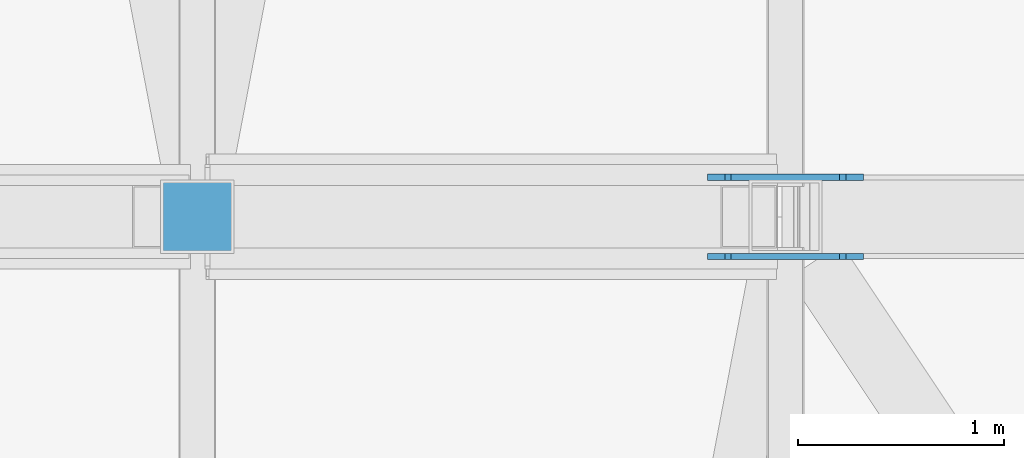
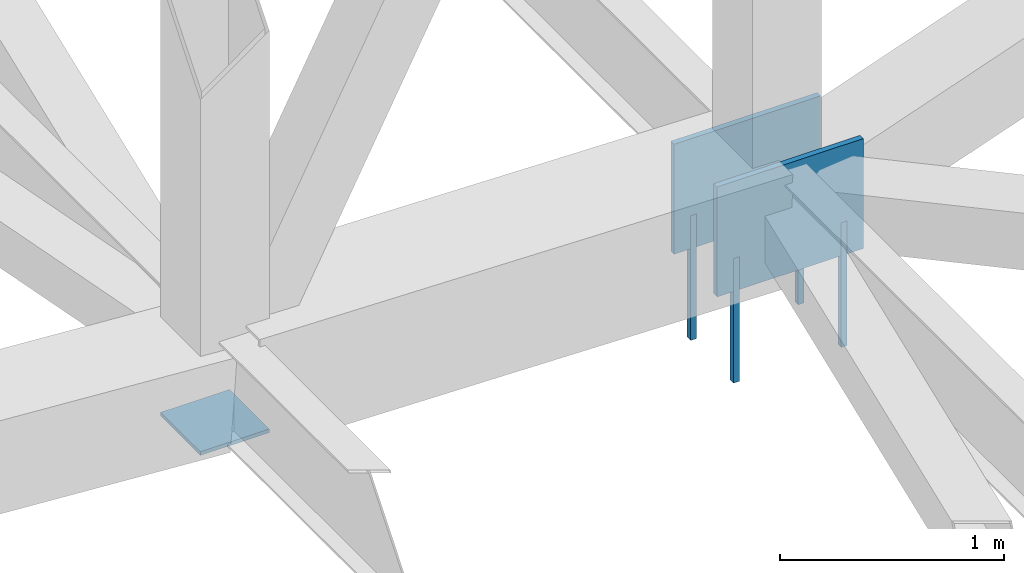
# One storey, part 189 of 278: 4 mechanical fasteners, 3 discrete accessories.
"""IFC4 building model written with IfcOpenShell, lengths in metres."""

from ifc_helpers import new_model, si_unit, direction, frame, origin, origin_2d, place, context, subcontext, project, spatial, rectangle, extrude, material, layer, layer_set, type_object, element, save


model = new_model("IFC4")

# Units and contexts
model_context = context("Model", 3, precision=1e-05, world=origin(), true_north=direction((0.0, 1.0)))
body_context = subcontext(model_context, "Body", "Model", "MODEL_VIEW")
ifc_project = project(units=[si_unit("LENGTHUNIT", "METRE"), si_unit("AREAUNIT", "SQUARE_METRE"), si_unit("VOLUMEUNIT", "CUBIC_METRE"), si_unit("PLANEANGLEUNIT", "RADIAN"), si_unit("MASSUNIT", "GRAM", prefix="KILO")], contexts=[model_context])

# Site, building, storey
site_placement = place(None, origin())
site = spatial("IfcSite", under=ifc_project, at=site_placement, CompositionType="ELEMENT")
building_placement = place(site_placement, origin())
building = spatial("IfcBuilding", under=site, at=building_placement, Name="Ogive Plaza Stadium", CompositionType="ELEMENT")
storey_placement = place(building_placement, frame((0.0, 0.0, 29.0)))
storey = spatial("IfcBuildingStorey", under=building, at=storey_placement, Name="Roof", CompositionType="ELEMENT", Elevation=29.0)

# Mechanical fasteners
ifc_material_1 = material(Name="Steel ASTM A992 Grade 50", Category="steel")
mechanical_fastener_type = type_object("IfcMechanicalFastenerType", Name="Anchor bolt M30 x 600", PredefinedType="ANCHORBOLT", material=ifc_material_1)
for number, where, z_axis, x_axis, name in (
    (1, (74.27783203125, -37.30810546875, -0.5), (0.0, 0.0, 1.0), (1.0, 0.0, 0.0), "ANCHOR BOLT 07 BP 1.1"),
    (2, (73.72216796875, -37.30810546875, -0.5), (0.0, 0.0, 1.0), (1.0, 0.0, 0.0), "ANCHOR BOLT 07 BP 1.2"),
    (3, (74.27783203125, -37.69189453125, -0.5), (0.0, 0.0, 1.0), (1.0, 0.0, 0.0), "ANCHOR BOLT 07 BP 2.1"),
    (4, (73.72216796875, -37.69189453125, -0.5), (0.0, 0.0, 1.0), (1.0, 0.0, 0.0), "ANCHOR BOLT 07 BP 2.2"),
):
    element("IfcMechanicalFastener", number, at=place(storey_placement, frame(where, z_axis=z_axis, x_axis=x_axis)), inside=storey, type_object=mechanical_fastener_type, Name=name, PredefinedType="ANCHORBOLT", context=body_context, shape_type="SweptSolid", body=[
        extrude(rectangle(XDim=0.030029296875, YDim=0.030029296875, at=origin_2d()), origin(), (0.0, 0.0, 1.0), 0.679931640625),
    ])

# Discrete accessories
ifc_material_2 = material(Name="Steel ASTM A992 Grade 50", Category="steel")
ifc_layer_1 = layer(ifc_material_2, 0.02001953125)
ifc_layer_set_1 = layer_set([ifc_layer_1], Name="Steel ASTM A992 Grade 50")
discrete_accessory_type_1 = type_object("IfcDiscreteAccessoryType", Name="Roof truss post cap plate 20", PredefinedType="ANCHORPLATE", material=ifc_layer_set_1)
discrete_accessory_placement = place(storey_placement, frame((71.14990234375, -37.5, 0.04541015625), z_axis=(0.0, 0.0, 1.0), x_axis=(1.0, 0.0, 0.0)))
element("IfcDiscreteAccessory", 5, at=discrete_accessory_placement, inside=storey, type_object=discrete_accessory_type_1, Name="ROOF TRUSS POST CAP PLATE 07 10", PredefinedType="ANCHORPLATE", context=body_context, shape_type="SweptSolid", body=[
    extrude(rectangle(XDim=0.355712890625, YDim=0.355712890625, at=origin_2d()), origin(), (0.0, 0.0, 1.0), 0.02001953125),
])
ifc_material_3 = material(Name="Steel ASTM A992 Grade 50", Category="steel")
ifc_layer_2 = layer(ifc_material_3, 0.030029296875)
ifc_layer_set_2 = layer_set([ifc_layer_2], Name="Steel ASTM A992 Grade 50")
discrete_accessory_type_2 = type_object("IfcDiscreteAccessoryType", Name="Truss root foot cleat plate 30", PredefinedType="ANCHORPLATE", material=ifc_layer_set_2)
for number, where, z_axis, x_axis, name in (
    (6, (74.0, -37.30810546875, 0.0), (0.0, 0.0, 1.0), (1.0, 0.0, 0.0), "TRUSS ROOT FOOT CLEAT PLATE 07 1"),
    (7, (74.0, -37.69189453125, 0.0), (0.0, 0.0, 1.0), (1.0, 0.0, 0.0), "TRUSS ROOT FOOT CLEAT PLATE 07 2"),
):
    element("IfcDiscreteAccessory", number, at=place(storey_placement, frame(where, z_axis=z_axis, x_axis=x_axis)), inside=storey, type_object=discrete_accessory_type_2, Name=name, PredefinedType="ANCHORPLATE", context=body_context, shape_type="SweptSolid", body=[
        extrude(rectangle(XDim=0.755615234375, YDim=0.030029296875, at=origin_2d()), origin(), (0.0, 0.0, 1.0), 0.60009765625),
    ])

save(model, "model.ifc")
